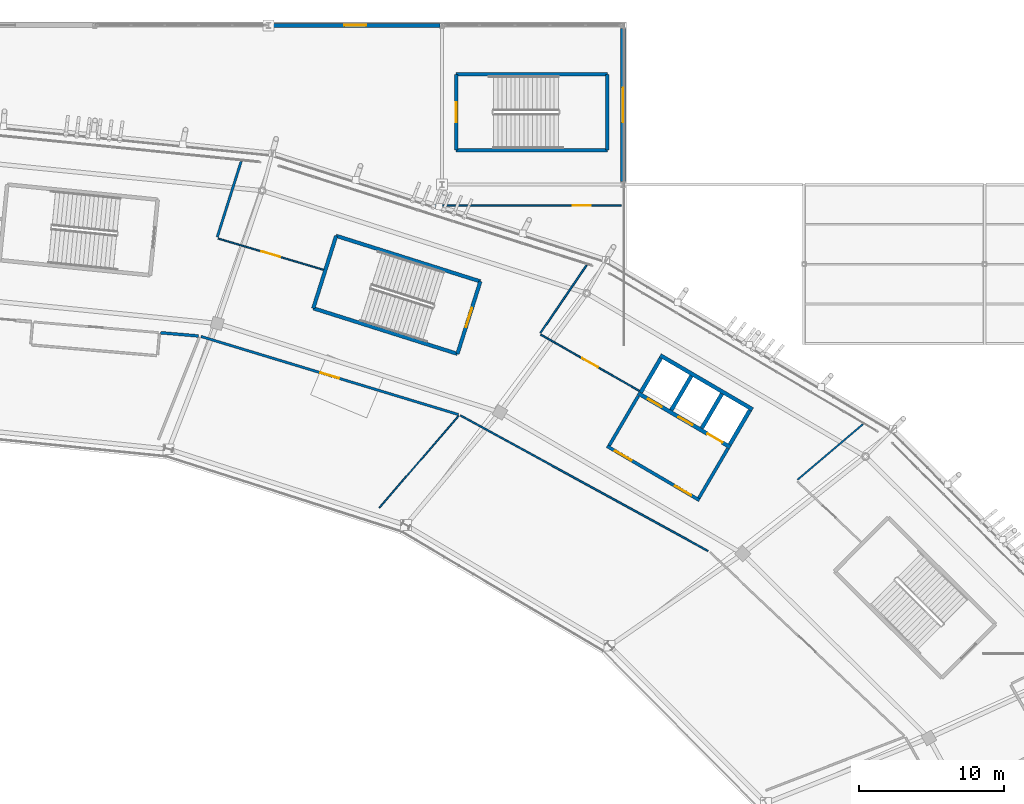
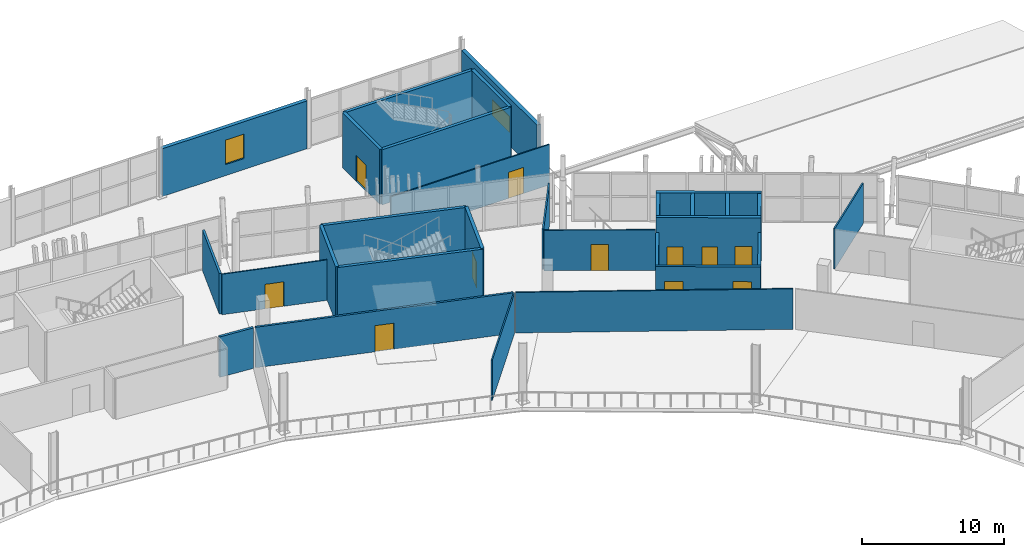
# One storey, part 135 of 179: 29 walls, 11 doors, 2 windows, 13 openings.
"""IFC4 building model written with IfcOpenShell, lengths in metres."""

from ifc_helpers import new_model, si_unit, direction, frame, frame_2d, origin, place, context, subcontext, project, spatial, rectangle, extrude, material, layer, layer_set, type_object, element, fill, save


model = new_model("IFC4")

# Units and contexts
model_context = context("Model", 3, precision=1e-05, world=origin(), true_north=direction((0.0, 1.0)))
body_context = subcontext(model_context, "Body", "Model", "MODEL_VIEW")
ifc_project = project(units=[si_unit("LENGTHUNIT", "METRE"), si_unit("AREAUNIT", "SQUARE_METRE"), si_unit("VOLUMEUNIT", "CUBIC_METRE"), si_unit("PLANEANGLEUNIT", "RADIAN"), si_unit("MASSUNIT", "GRAM", prefix="KILO")], contexts=[model_context])

# Site, building, storey
site_placement = place(None, origin())
site = spatial("IfcSite", under=ifc_project, at=site_placement, CompositionType="ELEMENT")
building_placement = place(site_placement, origin())
building = spatial("IfcBuilding", under=site, at=building_placement, Name="Zlatoyarsky Gate Stadium", CompositionType="ELEMENT")
storey_placement = place(building_placement, frame((0.0, 0.0, 10.60009765625)))
storey = spatial("IfcBuildingStorey", under=building, at=storey_placement, Name="L02", CompositionType="ELEMENT", Elevation=10.60009765625)

# Wall, opening, door
ifc_material_1 = material(Name="Double-stud acoustic gypsum partition", Category="gypsum")
ifc_layer_1 = layer(ifc_material_1, 0.169921875)
ifc_layer_set_1 = layer_set([ifc_layer_1], Name="Double-stud acoustic gypsum partition")
wall_type_1 = type_object("IfcWallType", Name="ACOUSTIC BROADCAST STUDIO WALL 170", PredefinedType="PARTITIONING", material=ifc_layer_set_1)
wall_1_placement = place(storey_placement, frame((148.62451171875, 133.1083984375, 0.0), z_axis=(0.0, 0.0, 1.0), x_axis=(-0.956943604741, 0.290273900558, 0.0)))
wall_1 = element("IfcWall", 1, at=wall_1_placement, inside=storey, type_object=wall_type_1, Name="L02 interior partition PRT-L02-ICC-04", PredefinedType="PARTITIONING", context=body_context, shape_type="SweptSolid", body=[
    extrude(rectangle(XDim=18.585205078125, YDim=0.169921875, at=frame_2d((9.29248046875, 0.0))), origin(), (0.0, 0.0, 1.0), 3.469970703125),
])
opening_1_placement = place(wall_1_placement, frame((8.62255859375, 0.0, 0.0)))
opening_1 = element("IfcOpeningElement", 2, at=opening_1_placement, cuts=wall_1, Name="Opening D-L02-290", PredefinedType="OPENING", context=body_context, shape_type="SweptSolid", body=[
    extrude(rectangle(XDim=1.340087890625, YDim=2.239990234375, at=frame_2d((0.669921875, 1.1201171875))), frame((0.0, 0.094970703125, 0.0), z_axis=(0.0, -1.0, 0.0), x_axis=(1.0, 0.0, 0.0)), (0.0, 0.0, 1.0), 0.18994140625),
])
ifc_material_2 = material(Name="Powder-coated steel fire door", Category="steel")
door_type_1 = type_object("IfcDoorType", Name="ACOUSTIC INTERIOR DOOR 1340X2240", OperationType="NOTDEFINED", PredefinedType="DOOR", material=ifc_material_2)
door_1_placement = place(opening_1_placement, origin())
door_1 = element("IfcDoor", 3, at=door_1_placement, inside=storey, type_object=door_type_1, Name="L02 room door D-L02-290", OperationType="SINGLE_SWING_RIGHT", OverallHeight=2.239990234375, OverallWidth=1.340087890625, PredefinedType="DOOR", context=body_context, shape_type="SweptSolid", body=[
    extrude(rectangle(XDim=1.340087890625, YDim=2.239990234375, at=frame_2d((0.669921875, 1.1201171875))), frame((0.0, 0.02490234375, 0.0), z_axis=(0.0, -1.0, 0.0), x_axis=(1.0, 0.0, 0.0)), (0.0, 0.0, 1.0), 0.050048828125),
])
fill(opening_1, door_1)

# Walls
wall_2_placement = place(storey_placement, frame((131.965087890625, 145.37939453125, 0.0), z_axis=(0.0, 0.0, 1.0), x_axis=(0.301272095981, 0.953538213279, 0.0)))
element("IfcWall", 4, at=wall_2_placement, inside=storey, type_object=wall_type_1, Name="L02 interior partition PRT-L02-ORD-04R", PredefinedType="PARTITIONING", context=body_context, shape_type="SweptSolid", body=[
    extrude(rectangle(XDim=5.479736328125, YDim=0.169921875, at=frame_2d((2.73974609375, 0.0))), origin(), (0.0, 0.0, 1.0), 3.469970703125),
])
ifc_material_3 = material(Name="Anodised aluminium acoustic operable wall", Category="aluminium")
ifc_layer_2 = layer(ifc_material_3, 0.114990234375)
ifc_layer_set_2 = layer_set([ifc_layer_2], Name="Anodised aluminium acoustic operable wall")
wall_type_2 = type_object("IfcWallType", Name="ACOUSTIC OPERABLE SUITE WALL 115", PredefinedType="MOVABLE", material=ifc_layer_set_2)
wall_3_placement = place(storey_placement, frame((165.883056640625, 123.675537109375, 0.0), z_axis=(0.0, 0.0, 1.0), x_axis=(-0.877066503075, 0.480368971921, 0.0)))
element("IfcWall", 5, at=wall_3_placement, inside=storey, type_object=wall_type_2, Name="L02 interior partition PRT-L02-ICC-03M", PredefinedType="MOVABLE", context=body_context, shape_type="SweptSolid", body=[
    extrude(rectangle(XDim=19.5, YDim=0.114990234375, at=frame_2d((9.75, 0.0))), origin(), (0.0, 0.0, 1.0), 3.469970703125),
])
wall_4_placement = place(storey_placement, frame((154.294189453125, 138.74169921875, 0.0), z_axis=(0.0, 0.0, 1.0), x_axis=(0.562766581292, 0.826615856962, 0.0)))
element("IfcWall", 6, at=wall_4_placement, inside=storey, type_object=wall_type_2, Name="L02 interior partition PRT-L02-ORD-03R", PredefinedType="MOVABLE", context=body_context, shape_type="SweptSolid", body=[
    extrude(rectangle(XDim=5.674072265625, YDim=0.114990234375, at=frame_2d((2.8369140625, 0.0))), origin(), (0.0, 0.0, 1.0), 3.469970703125),
])
ifc_material_4 = material(Name="Gypsum-clad mineral wool fire partition", Category="gypsum")
ifc_layer_3 = layer(ifc_material_4, 0.199951171875)
ifc_layer_set_3 = layer_set([ifc_layer_3], Name="Gypsum-clad mineral wool fire partition")
wall_type_3 = type_object("IfcWallType", Name="COMPARTMENT FIRE PARTITION WALL 200", PredefinedType="PARTITIONING", material=ifc_layer_set_3)
wall_5_placement = place(storey_placement, frame((130.673583984375, 138.53515625, 0.0), z_axis=(0.0, 0.0, 1.0), x_axis=(-0.996378623678, 0.085027279606, 0.0)))
element("IfcWall", 7, at=wall_5_placement, inside=storey, type_object=wall_type_3, Name="L02 interior partition PRT-L02-WCL-05", PredefinedType="PARTITIONING", context=body_context, shape_type="SweptSolid", body=[
    extrude(rectangle(XDim=2.630126953125, YDim=0.199951171875, at=frame_2d((1.31494140625, 0.0))), origin(), (0.0, 0.0, 1.0), 3.469970703125),
])
ifc_material_5 = material(Name="Concrete C40/50", Category="concrete")
ifc_layer_4 = layer(ifc_material_5, 0.27001953125)
ifc_layer_set_4 = layer_set([ifc_layer_4], Name="Concrete C40/50")
wall_type_4 = type_object("IfcWallType", Name="CONCRETE LIFT SHAFT SHEAR WALL 270", PredefinedType="SHEAR", material=ifc_layer_set_4)
wall_6_placement = place(storey_placement, frame((168.962646484375, 133.458984375, 0.0), z_axis=(0.0, 0.0, 1.0), x_axis=(-0.862865684113, 0.505433290534, 0.0)))
element("IfcWall", 8, at=wall_6_placement, inside=storey, type_object=wall_type_4, Name="C1 L02 lift shaft rear wall", PredefinedType="SHEAR", context=body_context, shape_type="SweptSolid", body=[
    extrude(rectangle(XDim=7.400146484375, YDim=0.27001953125, at=frame_2d((3.7001953125, 0.0))), origin(), (0.0, 0.0, 1.0), 4.719970703125),
])
for number, where, z_axis, x_axis, name in (
    (9, (168.772705078125, 133.402099609375, 0.0), (0.0, 0.0, 1.0), (-0.505465660416, -0.862846722275, 0.0), "C1 L02 lift shaft left wall"),
    (10, (162.62060546875, 137.006103515625, 0.0), (0.0, 0.0, 1.0), (-0.505465660416, -0.862846722275, 0.0), "C1 L02 lift shaft right wall"),
):
    element("IfcWall", number, at=place(storey_placement, frame(where, z_axis=z_axis, x_axis=x_axis)), inside=storey, type_object=wall_type_4, Name=name, PredefinedType="SHEAR", context=body_context, shape_type="SweptSolid", body=[
        extrude(rectangle(XDim=2.739990234375, YDim=0.27001953125, at=frame_2d((1.3701171875, 0.0))), origin(), (0.0, 0.0, 1.0), 4.719970703125),
    ])
wall_7_placement = place(storey_placement, frame((166.840087890625, 134.5341796875, 0.0), z_axis=(0.0, 0.0, 1.0), x_axis=(-0.505504523015, -0.862823954936, 0.0)))
element("IfcWall", 11, at=wall_7_placement, inside=storey, type_object=wall_type_4, Name="C1 L02 lift shaft divider 1", PredefinedType="SHEAR", context=body_context, shape_type="SweptSolid", body=[
    extrude(rectangle(XDim=2.73974609375, YDim=0.27001953125, at=frame_2d((1.369873046875, 0.0))), origin(), (0.0, 0.0, 1.0), 4.719970703125),
])
wall_8_placement = place(storey_placement, frame((164.72607421875, 135.772705078125, 0.0), z_axis=(0.0, 0.0, 1.0), x_axis=(-0.505465660416, -0.862846722275, 0.0)))
element("IfcWall", 12, at=wall_8_placement, inside=storey, type_object=wall_type_4, Name="C1 L02 lift shaft divider 2", PredefinedType="SHEAR", context=body_context, shape_type="SweptSolid", body=[
    extrude(rectangle(XDim=2.739990234375, YDim=0.27001953125, at=frame_2d((1.3701171875, 0.0))), origin(), (0.0, 0.0, 1.0), 4.719970703125),
])

# Wall, openings, doors
wall_9_placement = place(storey_placement, frame((167.430908203125, 130.844482421875, 0.0), z_axis=(0.0, 0.0, 1.0), x_axis=(-0.862842866418, 0.505472242434, 0.0)))
wall_9 = element("IfcWall", 13, at=wall_9_placement, inside=storey, type_object=wall_type_4, Name="C1 L02 lift landing front wall", PredefinedType="SHEAR", context=body_context, shape_type="SweptSolid", body=[
    extrude(rectangle(XDim=7.39990234375, YDim=0.27001953125, at=frame_2d((3.699951171875, 0.0))), origin(), (0.0, 0.0, 1.0), 4.719970703125),
])
opening_2_placement = place(wall_9_placement, frame((0.64990234375, 0.0, 0.0)))
opening_2 = element("IfcOpeningElement", 14, at=opening_2_placement, cuts=wall_9, Name="Opening LD-FL-01-L02", PredefinedType="OPENING", context=body_context, shape_type="SweptSolid", body=[
    extrude(rectangle(XDim=1.199951171875, YDim=2.25, at=frame_2d((0.60009765625, 1.125))), frame((0.0, 0.14501953125, 0.0), z_axis=(0.0, -1.0, 0.0), x_axis=(1.0, 0.0, 0.0)), (0.0, 0.0, 1.0), 0.2900390625),
])
opening_3_placement = place(wall_9_placement, frame((3.050048828125, 0.0, 0.0)))
opening_3 = element("IfcOpeningElement", 15, at=opening_3_placement, cuts=wall_9, Name="Opening LD-LF-01-L02", PredefinedType="OPENING", context=body_context, shape_type="SweptSolid", body=[
    extrude(rectangle(XDim=1.10009765625, YDim=2.199951171875, at=frame_2d((0.550048828125, 1.10009765625))), frame((0.0, 0.14501953125, 0.0), z_axis=(0.0, -1.0, 0.0), x_axis=(1.0, 0.0, 0.0)), (0.0, 0.0, 1.0), 0.2900390625),
])
opening_4_placement = place(wall_9_placement, frame((5.5, 0.0, 0.0)))
opening_4 = element("IfcOpeningElement", 16, at=opening_4_placement, cuts=wall_9, Name="Opening LD-LF-02-L02", PredefinedType="OPENING", context=body_context, shape_type="SweptSolid", body=[
    extrude(rectangle(XDim=1.10009765625, YDim=2.199951171875, at=frame_2d((0.550048828125, 1.10009765625))), frame((0.0, 0.14501953125, 0.0), z_axis=(0.0, -1.0, 0.0), x_axis=(1.0, 0.0, 0.0)), (0.0, 0.0, 1.0), 0.2900390625),
])
door_type_2 = type_object("IfcDoorType", Name="STAINLESS LIFT LANDING SLIDING DOOR 1100X2200", OperationType="DOUBLE_DOOR_SLIDING", PredefinedType="DOOR", material=ifc_material_2)
door_2_placement = place(opening_3_placement, origin())
door_2 = element("IfcDoor", 17, at=door_2_placement, inside=storey, type_object=door_type_2, Name="Lift LF-01 L02 sliding landing door", OperationType="DOUBLE_DOOR_SLIDING", OverallHeight=2.199951171875, OverallWidth=1.10009765625, PredefinedType="DOOR", context=body_context, shape_type="SweptSolid", body=[
    extrude(rectangle(XDim=1.10009765625, YDim=2.199951171875, at=frame_2d((0.550048828125, 1.10009765625))), frame((0.0, 0.02490234375, 0.0), z_axis=(0.0, -1.0, 0.0), x_axis=(1.0, 0.0, 0.0)), (0.0, 0.0, 1.0), 0.050048828125),
])
fill(opening_3, door_2)
door_3_placement = place(opening_4_placement, origin())
door_3 = element("IfcDoor", 18, at=door_3_placement, inside=storey, type_object=door_type_2, Name="Lift LF-02 L02 sliding landing door", OperationType="DOUBLE_DOOR_SLIDING", OverallHeight=2.199951171875, OverallWidth=1.10009765625, PredefinedType="DOOR", context=body_context, shape_type="SweptSolid", body=[
    extrude(rectangle(XDim=1.10009765625, YDim=2.199951171875, at=frame_2d((0.550048828125, 1.10009765625))), frame((0.0, 0.02490234375, 0.0), z_axis=(0.0, -1.0, 0.0), x_axis=(1.0, 0.0, 0.0)), (0.0, 0.0, 1.0), 0.050048828125),
])
fill(opening_4, door_3)
door_type_3 = type_object("IfcDoorType", Name="STAINLESS LIFT LANDING SLIDING DOOR 1200X2250", OperationType="DOUBLE_DOOR_SLIDING", PredefinedType="DOOR", material=ifc_material_2)
door_4_placement = place(opening_2_placement, origin())
door_4 = element("IfcDoor", 19, at=door_4_placement, inside=storey, type_object=door_type_3, Name="Lift FL-01 L02 sliding landing door", OperationType="DOUBLE_DOOR_SLIDING", OverallHeight=2.25, OverallWidth=1.199951171875, PredefinedType="DOOR", context=body_context, shape_type="SweptSolid", body=[
    extrude(rectangle(XDim=1.199951171875, YDim=2.25, at=frame_2d((0.60009765625, 1.125))), frame((0.0, 0.02490234375, 0.0), z_axis=(0.0, -1.0, 0.0), x_axis=(1.0, 0.0, 0.0)), (0.0, 0.0, 1.0), 0.050048828125),
])
fill(opening_2, door_4)

# Wall, opening, door
ifc_layer_5 = layer(ifc_material_5, 0.25)
ifc_layer_set_5 = layer_set([ifc_layer_5], Name="Concrete C40/50")
wall_type_5 = type_object("IfcWallType", Name="CONCRETE STAIR CORE SHEAR WALL 250", PredefinedType="SHEAR", material=ifc_layer_set_5)
wall_10_placement = place(storey_placement, frame((148.563232421875, 137.30126953125, 0.0), z_axis=(0.0, 0.0, 1.0), x_axis=(0.30152749866, 0.953457480726, 0.0)))
wall_10 = element("IfcWall", 20, at=wall_10_placement, inside=storey, type_object=wall_type_5, Name="ST-03 L02 stair core entrance shear wall", PredefinedType="SHEAR", context=body_context, shape_type="SweptSolid", body=[
    extrude(rectangle(XDim=5.25, YDim=0.25, at=frame_2d((2.625, 0.0))), origin(), (0.0, 0.0, 1.0), 4.719970703125),
])
opening_5_placement = place(wall_10_placement, frame((1.925048828125, 0.0, 0.0)))
opening_5 = element("IfcOpeningElement", 21, at=opening_5_placement, cuts=wall_10, Name="Opening SD-ST-03-L02", PredefinedType="OPENING", context=body_context, shape_type="SweptSolid", body=[
    extrude(rectangle(XDim=1.39990234375, YDim=2.199951171875, at=frame_2d((0.699951171875, 1.10009765625))), frame((0.0, 0.135009765625, 0.0), z_axis=(0.0, -1.0, 0.0), x_axis=(1.0, 0.0, 0.0)), (0.0, 0.0, 1.0), 0.27001953125),
])
door_type_4 = type_object("IfcDoorType", Name="STAIR CORE FIRE EXIT DOOR 1400X2200", OperationType="NOTDEFINED", PredefinedType="DOOR", material=ifc_material_2)
door_5_placement = place(opening_5_placement, frame((1.39990234375, 0.0, 0.0), z_axis=(0.0, 0.0, 1.0), x_axis=(-1.0, 0.0, 0.0)))
door_5 = element("IfcDoor", 22, at=door_5_placement, inside=storey, type_object=door_type_4, Name="ST-03 L02 stair fire door", OperationType="SINGLE_SWING_LEFT", OverallHeight=2.199951171875, OverallWidth=1.39990234375, PredefinedType="DOOR", context=body_context, shape_type="SweptSolid", body=[
    extrude(rectangle(XDim=1.39990234375, YDim=2.199951171875, at=frame_2d((0.699951171875, 1.10009765625))), frame((0.0, 0.02490234375, 0.0), z_axis=(0.0, -1.0, 0.0), x_axis=(1.0, 0.0, 0.0)), (0.0, 0.0, 1.0), 0.050048828125),
])
fill(opening_5, door_5)

# Walls
wall_11_placement = place(storey_placement, frame((150.146240234375, 142.306884765625, 0.0), z_axis=(0.0, 0.0, 1.0), x_axis=(-0.953461834254, 0.301513732061, 0.0)))
element("IfcWall", 23, at=wall_11_placement, inside=storey, type_object=wall_type_5, Name="ST-03 L02 stair core left shear wall", PredefinedType="SHEAR", context=body_context, shape_type="SweptSolid", body=[
    extrude(rectangle(XDim=10.4501953125, YDim=0.25, at=frame_2d((5.22509765625, 0.0))), origin(), (0.0, 0.0, 1.0), 4.719970703125),
])
wall_12_placement = place(storey_placement, frame((140.182373046875, 145.457763671875, 0.0), z_axis=(0.0, 0.0, 1.0), x_axis=(-0.301485222482, -0.953470849384, 0.0)))
element("IfcWall", 24, at=wall_12_placement, inside=storey, type_object=wall_type_5, Name="ST-03 L02 stair core far shear wall", PredefinedType="SHEAR", context=body_context, shape_type="SweptSolid", body=[
    extrude(rectangle(XDim=5.25, YDim=0.25, at=frame_2d((2.625, 0.0))), origin(), (0.0, 0.0, 1.0), 4.719970703125),
])
wall_13_placement = place(storey_placement, frame((138.599609375, 140.4521484375, 0.0), z_axis=(0.0, 0.0, 1.0), x_axis=(0.953459710305, -0.301520448438, 0.0)))
element("IfcWall", 25, at=wall_13_placement, inside=storey, type_object=wall_type_5, Name="ST-03 L02 stair core right shear wall", PredefinedType="SHEAR", context=body_context, shape_type="SweptSolid", body=[
    extrude(rectangle(XDim=10.449951171875, YDim=0.25, at=frame_2d((5.22509765625, 0.0))), origin(), (0.0, 0.0, 1.0), 4.719970703125),
])

# Wall, opening, door
wall_14_placement = place(storey_placement, frame((148.47509765625, 156.625, 0.0), z_axis=(0.0, 0.0, 1.0), x_axis=(0.0, -1.0, 0.0)))
wall_14 = element("IfcWall", 26, at=wall_14_placement, inside=storey, type_object=wall_type_5, Name="ST-32 L02 stair core entrance shear wall", PredefinedType="SHEAR", context=body_context, shape_type="SweptSolid", body=[
    extrude(rectangle(XDim=5.25, YDim=0.25, at=frame_2d((2.625, 0.0))), origin(), (0.0, 0.0, 1.0), 4.719970703125),
])
opening_6_placement = place(wall_14_placement, frame((1.925048828125, 0.0, 0.0)))
opening_6 = element("IfcOpeningElement", 27, at=opening_6_placement, cuts=wall_14, Name="Opening SD-ST-32-L02", PredefinedType="OPENING", context=body_context, shape_type="SweptSolid", body=[
    extrude(rectangle(XDim=1.39990234375, YDim=2.199951171875, at=frame_2d((0.699951171875, 1.10009765625))), frame((0.0, 0.135009765625, 0.0), z_axis=(0.0, -1.0, 0.0), x_axis=(1.0, 0.0, 0.0)), (0.0, 0.0, 1.0), 0.27001953125),
])
door_6_placement = place(opening_6_placement, frame((1.39990234375, 0.0, 0.0), z_axis=(0.0, 0.0, 1.0), x_axis=(-1.0, 0.0, 0.0)))
door_6 = element("IfcDoor", 28, at=door_6_placement, inside=storey, type_object=door_type_4, Name="ST-32 L02 stair fire door", OperationType="SINGLE_SWING_LEFT", OverallHeight=2.199951171875, OverallWidth=1.39990234375, PredefinedType="DOOR", context=body_context, shape_type="SweptSolid", body=[
    extrude(rectangle(XDim=1.39990234375, YDim=2.199951171875, at=frame_2d((0.699951171875, 1.10009765625))), frame((0.0, 0.02490234375, 0.0), z_axis=(0.0, -1.0, 0.0), x_axis=(1.0, 0.0, 0.0)), (0.0, 0.0, 1.0), 0.050048828125),
])
fill(opening_6, door_6)

# Walls
wall_15_placement = place(storey_placement, frame((148.47509765625, 151.375, 0.0), z_axis=(0.0, 0.0, 1.0), x_axis=(1.0, 0.0, 0.0)))
element("IfcWall", 29, at=wall_15_placement, inside=storey, type_object=wall_type_5, Name="ST-32 L02 stair core left shear wall", PredefinedType="SHEAR", context=body_context, shape_type="SweptSolid", body=[
    extrude(rectangle(XDim=10.449951171875, YDim=0.25, at=frame_2d((5.22509765625, 0.0))), origin(), (0.0, 0.0, 1.0), 4.719970703125),
])
wall_16_placement = place(storey_placement, frame((158.925048828125, 151.375, 0.0), z_axis=(0.0, 0.0, 1.0), x_axis=(0.0, 1.0, 0.0)))
element("IfcWall", 30, at=wall_16_placement, inside=storey, type_object=wall_type_5, Name="ST-32 L02 stair core far shear wall", PredefinedType="SHEAR", context=body_context, shape_type="SweptSolid", body=[
    extrude(rectangle(XDim=5.25, YDim=0.25, at=frame_2d((2.625, 0.0))), origin(), (0.0, 0.0, 1.0), 4.719970703125),
])
wall_17_placement = place(storey_placement, frame((158.925048828125, 156.625, 0.0), z_axis=(0.0, 0.0, 1.0), x_axis=(-1.0, 0.0, 0.0)))
element("IfcWall", 31, at=wall_17_placement, inside=storey, type_object=wall_type_5, Name="ST-32 L02 stair core right shear wall", PredefinedType="SHEAR", context=body_context, shape_type="SweptSolid", body=[
    extrude(rectangle(XDim=10.449951171875, YDim=0.25, at=frame_2d((5.22509765625, 0.0))), origin(), (0.0, 0.0, 1.0), 4.719970703125),
])
ifc_material_6 = material(Name="Autoclaved aerated concrete masonry EI 120", Category="masonry")
ifc_layer_6 = layer(ifc_material_6, 0.219970703125)
ifc_layer_set_6 = layer_set([ifc_layer_6], Name="Autoclaved aerated concrete masonry EI 120")
wall_type_6 = type_object("IfcWallType", Name="FIREFIGHTING LOBBY RATED WALL 220", PredefinedType="PARTITIONING", material=ifc_layer_set_6)
for number, where, z_axis, x_axis, name in (
    (32, (167.2578125, 130.766357421875, 0.0), (0.0, 0.0, 1.0), (-0.505464443681, -0.862847435051, 0.0), "C1 L02 firefighting lobby left wall"),
    (33, (161.0625, 134.3955078125, 0.0), (0.0, 0.0, 1.0), (-0.505464443681, -0.862847435051, 0.0), "C1 L02 firefighting lobby right wall"),
):
    element("IfcWall", number, at=place(storey_placement, frame(where, z_axis=z_axis, x_axis=x_axis)), inside=storey, type_object=wall_type_6, Name=name, PredefinedType="PARTITIONING", context=body_context, shape_type="SweptSolid", body=[
        extrude(rectangle(XDim=3.97998046875, YDim=0.219970703125, at=frame_2d((1.989990234375, 0.0))), origin(), (0.0, 0.0, 1.0), 3.469970703125),
    ])

# Wall, openings, doors
wall_18_placement = place(storey_placement, frame((165.285400390625, 127.181640625, 0.0), z_axis=(0.0, 0.0, 1.0), x_axis=(-0.862851295616, 0.505457853488, 0.0)))
wall_18 = element("IfcWall", 34, at=wall_18_placement, inside=storey, type_object=wall_type_6, Name="C1 L02 firefighting lobby front wall", PredefinedType="PARTITIONING", context=body_context, shape_type="SweptSolid", body=[
    extrude(rectangle(XDim=7.400146484375, YDim=0.219970703125, at=frame_2d((3.7001953125, 0.0))), origin(), (0.0, 0.0, 1.0), 3.469970703125),
])
opening_7_placement = place(wall_18_placement, frame((0.64990234375, 0.0, 0.0)))
opening_7 = element("IfcOpeningElement", 35, at=opening_7_placement, cuts=wall_18, Name="Opening FD-C1-L02-A", PredefinedType="OPENING", context=body_context, shape_type="SweptSolid", body=[
    extrude(rectangle(XDim=1.300048828125, YDim=2.199951171875, at=frame_2d((0.64990234375, 1.10009765625))), frame((0.0, 0.119873046875, 0.0), z_axis=(0.0, -1.0, 0.0), x_axis=(1.0, 0.0, 0.0)), (0.0, 0.0, 1.0), 0.239990234375),
])
opening_8_placement = place(wall_18_placement, frame((5.449951171875, 0.0, 0.0)))
opening_8 = element("IfcOpeningElement", 36, at=opening_8_placement, cuts=wall_18, Name="Opening FD-C1-L02-B", PredefinedType="OPENING", context=body_context, shape_type="SweptSolid", body=[
    extrude(rectangle(XDim=1.300048828125, YDim=2.199951171875, at=frame_2d((0.64990234375, 1.10009765625))), frame((0.0, 0.119873046875, 0.0), z_axis=(0.0, -1.0, 0.0), x_axis=(1.0, 0.0, 0.0)), (0.0, 0.0, 1.0), 0.239990234375),
])
door_type_5 = type_object("IfcDoorType", Name="FIREFIGHTING LOBBY FIRE DOOR 1300X2200", OperationType="NOTDEFINED", PredefinedType="DOOR", material=ifc_material_2)
door_7_placement = place(opening_7_placement, origin())
door_7 = element("IfcDoor", 37, at=door_7_placement, inside=storey, type_object=door_type_5, Name="C1 L02 firefighting lobby fire door FD-C1-L02-A", OperationType="SINGLE_SWING_LEFT", OverallHeight=2.199951171875, OverallWidth=1.300048828125, PredefinedType="DOOR", context=body_context, shape_type="SweptSolid", body=[
    extrude(rectangle(XDim=1.300048828125, YDim=2.199951171875, at=frame_2d((0.64990234375, 1.10009765625))), frame((0.0, 0.02490234375, 0.0), z_axis=(0.0, -1.0, 0.0), x_axis=(1.0, 0.0, 0.0)), (0.0, 0.0, 1.0), 0.050048828125),
])
fill(opening_7, door_7)
door_8_placement = place(opening_8_placement, origin())
door_8 = element("IfcDoor", 38, at=door_8_placement, inside=storey, type_object=door_type_5, Name="C1 L02 firefighting lobby fire door FD-C1-L02-B", OperationType="SINGLE_SWING_RIGHT", OverallHeight=2.199951171875, OverallWidth=1.300048828125, PredefinedType="DOOR", context=body_context, shape_type="SweptSolid", body=[
    extrude(rectangle(XDim=1.300048828125, YDim=2.199951171875, at=frame_2d((0.64990234375, 1.10009765625))), frame((0.0, 0.02490234375, 0.0), z_axis=(0.0, -1.0, 0.0), x_axis=(1.0, 0.0, 0.0)), (0.0, 0.0, 1.0), 0.050048828125),
])
fill(opening_8, door_8)

# Wall
ifc_material_7 = material(Name="Timber-veneered acoustic operable partition", Category="wood")
ifc_layer_7 = layer(ifc_material_7, 0.094970703125)
ifc_layer_set_7 = layer_set([ifc_layer_7], Name="Timber-veneered acoustic operable partition")
wall_type_7 = type_object("IfcWallType", Name="FOLDING BANQUET SALON WALL 95", PredefinedType="MOVABLE", material=ifc_layer_set_7)
wall_19_placement = place(storey_placement, frame((143.164794921875, 126.66455078125, 0.0), z_axis=(0.0, 0.0, 1.0), x_axis=(0.653426768467, 0.756989734574, 0.0)))
element("IfcWall", 39, at=wall_19_placement, inside=storey, type_object=wall_type_7, Name="L02 interior partition PRT-L02-IRD-04", PredefinedType="MOVABLE", context=body_context, shape_type="SweptSolid", body=[
    extrude(rectangle(XDim=8.394775390625, YDim=0.094970703125, at=frame_2d((4.197265625, 0.0))), origin(), (0.0, 0.0, 1.0), 3.469970703125),
])

# Wall, opening, door
wall_20_placement = place(storey_placement, frame((139.3037109375, 143.1103515625, 0.0), z_axis=(0.0, 0.0, 1.0), x_axis=(-0.958592326315, 0.284781937506, 0.0)))
wall_20 = element("IfcWall", 40, at=wall_20_placement, inside=storey, type_object=wall_type_7, Name="L02 interior partition PRT-L02-OCC-04-1", PredefinedType="MOVABLE", context=body_context, shape_type="SweptSolid", body=[
    extrude(rectangle(XDim=7.597412109375, YDim=0.094970703125, at=frame_2d((3.798828125, 0.0))), origin(), (0.0, 0.0, 1.0), 3.469970703125),
])
opening_9_placement = place(wall_20_placement, frame((3.128662109375, 0.0, 0.0)))
opening_9 = element("IfcOpeningElement", 41, at=opening_9_placement, cuts=wall_20, Name="Opening D-L02-349", PredefinedType="OPENING", context=body_context, shape_type="SweptSolid", body=[
    extrude(rectangle(XDim=1.340087890625, YDim=2.10009765625, at=frame_2d((0.669921875, 1.050048828125))), frame((0.0, 0.057373046875, 0.0), z_axis=(0.0, -1.0, 0.0), x_axis=(1.0, 0.0, 0.0)), (0.0, 0.0, 1.0), 0.114990234375),
])
ifc_material_8 = material(Name="Solid-core oak veneer acoustic door", Category="wood")
door_type_6 = type_object("IfcDoorType", Name="ACOUSTIC INTERIOR DOOR 1340X2100", OperationType="NOTDEFINED", PredefinedType="DOOR", material=ifc_material_8)
door_9_placement = place(opening_9_placement, origin())
door_9 = element("IfcDoor", 42, at=door_9_placement, inside=storey, type_object=door_type_6, Name="L02 room door D-L02-349", OperationType="SINGLE_SWING_LEFT", OverallHeight=2.10009765625, OverallWidth=1.340087890625, PredefinedType="DOOR", context=body_context, shape_type="SweptSolid", body=[
    extrude(rectangle(XDim=1.340087890625, YDim=2.10009765625, at=frame_2d((0.669921875, 1.050048828125))), frame((0.0, 0.02490234375, 0.0), z_axis=(0.0, -1.0, 0.0), x_axis=(1.0, 0.0, 0.0)), (0.0, 0.0, 1.0), 0.050048828125),
])
fill(opening_9, door_9)

# Wall, opening, window
ifc_material_9 = material(Name="Limestone-faced insulated masonry wall", Category="masonry")
ifc_layer_8 = layer(ifc_material_9, 0.300048828125)
ifc_layer_set_8 = layer_set([ifc_layer_8], Name="Limestone-faced insulated masonry wall")
wall_type_8 = type_object("IfcWallType", Name="INSULATED PAVILION FACADE WALL 300", PredefinedType="STANDARD", material=ifc_layer_set_8)
wall_21_placement = place(storey_placement, frame((135.64697265625, 160.0, 0.0), z_axis=(0.0, 0.0, 1.0), x_axis=(1.0, 0.0, 0.0)))
wall_21 = element("IfcWall", 43, at=wall_21_placement, inside=storey, type_object=wall_type_8, Name="V2_NORTH L02 N exterior wall", PredefinedType="STANDARD", context=body_context, shape_type="SweptSolid", body=[
    extrude(rectangle(XDim=11.7060546875, YDim=0.300048828125, at=frame_2d((5.85302734375, 0.0))), origin(), (0.0, 0.0, 1.0), 4.099853515625),
])
opening_10_placement = place(wall_21_placement, frame((5.10302734375, 0.0, 0.949951171875)))
opening_10 = element("IfcOpeningElement", 44, at=opening_10_placement, cuts=wall_21, Name="Opening WN-08", PredefinedType="OPENING", context=body_context, shape_type="SweptSolid", body=[
    extrude(rectangle(XDim=1.5, YDim=2.10009765625, at=frame_2d((0.75, 1.050048828125))), frame((0.0, 0.159912109375, 0.0), z_axis=(0.0, -1.0, 0.0), x_axis=(1.0, 0.0, 0.0)), (0.0, 0.0, 1.0), 0.320068359375),
])
ifc_material_10 = material(Name="Triple-glazed thermally broken aluminium window", Category="aluminium")
window_type_1 = type_object("IfcWindowType", Name="TRIPLE GLAZED ALUMINIUM WINDOW 1500X2100", PartitioningType="SINGLE_PANEL", PredefinedType="WINDOW", material=ifc_material_10)
window_1_placement = place(opening_10_placement, origin())
window_1 = element("IfcWindow", 45, at=window_1_placement, inside=storey, type_object=window_type_1, Name="Exterior window WIN-L02-008", OverallHeight=2.10009765625, OverallWidth=1.5, PartitioningType="SINGLE_PANEL", PredefinedType="WINDOW", context=body_context, shape_type="SweptSolid", body=[
    extrude(rectangle(XDim=1.5, YDim=2.10009765625, at=frame_2d((0.75, 1.050048828125))), frame((0.0, 0.030029296875, 0.0), z_axis=(0.0, -1.0, 0.0), x_axis=(1.0, 0.0, 0.0)), (0.0, 0.0, 1.0), 0.06005859375),
])
fill(opening_10, window_1)

# Wall
ifc_material_11 = material(Name="Metal-stud gypsum partition", Category="gypsum")
ifc_layer_9 = layer(ifc_material_11, 0.110107421875)
ifc_layer_set_9 = layer_set([ifc_layer_9], Name="Metal-stud gypsum partition")
wall_type_9 = type_object("IfcWallType", Name="KIOSK SERVICE PARTITION 110", PredefinedType="PARTITIONING", material=ifc_layer_set_9)
wall_22_placement = place(storey_placement, frame((172.0625, 128.59765625, 0.0), z_axis=(0.0, 0.0, 1.0), x_axis=(0.762506674327, 0.646980348703, 0.0)))
element("IfcWall", 46, at=wall_22_placement, inside=storey, type_object=wall_type_9, Name="L02 interior partition PRT-L02-ORD-02R", PredefinedType="PARTITIONING", context=body_context, shape_type="SweptSolid", body=[
    extrude(rectangle(XDim=5.931884765625, YDim=0.110107421875, at=frame_2d((2.9658203125, 0.0))), origin(), (0.0, 0.0, 1.0), 3.469970703125),
])

# Wall, opening, door
ifc_layer_10 = layer(ifc_material_11, 0.10009765625)
ifc_layer_set_10 = layer_set([ifc_layer_10], Name="Metal-stud gypsum partition")
wall_type_10 = type_object("IfcWallType", Name="LIGHT STORAGE PARTITION 100", PredefinedType="PARTITIONING", material=ifc_layer_set_10)
wall_23_placement = place(storey_placement, frame((161.13232421875, 134.7421875, 0.0), z_axis=(0.0, 0.0, 1.0), x_axis=(-0.868551387385, 0.495599119725, 0.0)))
wall_23 = element("IfcWall", 47, at=wall_23_placement, inside=storey, type_object=wall_type_10, Name="L02 interior partition PRT-L02-OCC-03-1", PredefinedType="PARTITIONING", context=body_context, shape_type="SweptSolid", body=[
    extrude(rectangle(XDim=7.843017578125, YDim=0.10009765625, at=frame_2d((3.92138671875, 0.0))), origin(), (0.0, 0.0, 1.0), 3.469970703125),
])
opening_11_placement = place(wall_23_placement, frame((3.301513671875, 0.0, 0.0)))
opening_11 = element("IfcOpeningElement", 48, at=opening_11_placement, cuts=wall_23, Name="Opening D-L02-347", PredefinedType="OPENING", context=body_context, shape_type="SweptSolid", body=[
    extrude(rectangle(XDim=1.239990234375, YDim=2.239990234375, at=frame_2d((0.6201171875, 1.1201171875))), frame((0.0, 0.06005859375, 0.0), z_axis=(0.0, -1.0, 0.0), x_axis=(1.0, 0.0, 0.0)), (0.0, 0.0, 1.0), 0.1201171875),
])
door_type_7 = type_object("IfcDoorType", Name="ACOUSTIC INTERIOR DOOR 1240X2240", OperationType="NOTDEFINED", PredefinedType="DOOR", material=ifc_material_8)
door_10_placement = place(opening_11_placement, origin())
door_10 = element("IfcDoor", 49, at=door_10_placement, inside=storey, type_object=door_type_7, Name="L02 room door D-L02-347", OperationType="SINGLE_SWING_RIGHT", OverallHeight=2.239990234375, OverallWidth=1.239990234375, PredefinedType="DOOR", context=body_context, shape_type="SweptSolid", body=[
    extrude(rectangle(XDim=1.239990234375, YDim=2.239990234375, at=frame_2d((0.6201171875, 1.1201171875))), frame((0.0, 0.02490234375, 0.0), z_axis=(0.0, -1.0, 0.0), x_axis=(1.0, 0.0, 0.0)), (0.0, 0.0, 1.0), 0.050048828125),
])
fill(opening_11, door_10)

wall_24_placement = place(storey_placement, frame((147.01806640625, 147.550048828125, 0.0), z_axis=(0.0, 0.0, 1.0), x_axis=(1.0, 0.0, 0.0)))
wall_24 = element("IfcWall", 50, at=wall_24_placement, inside=storey, type_object=wall_type_10, Name="L02 interior partition PRT-L02-V2NC-S2", PredefinedType="PARTITIONING", context=body_context, shape_type="SweptSolid", body=[
    extrude(rectangle(XDim=12.876953125, YDim=0.10009765625, at=frame_2d((6.4384765625, 0.0))), origin(), (0.0, 0.0, 1.0), 3.469970703125),
])
opening_12_placement = place(wall_24_placement, frame((9.52685546875, 0.0, 0.0)))
opening_12 = element("IfcOpeningElement", 51, at=opening_12_placement, cuts=wall_24, Name="Opening D-L02-387", PredefinedType="OPENING", context=body_context, shape_type="SweptSolid", body=[
    extrude(rectangle(XDim=1.239990234375, YDim=2.239990234375, at=frame_2d((0.6201171875, 1.1201171875))), frame((0.0, 0.06005859375, 0.0), z_axis=(0.0, -1.0, 0.0), x_axis=(1.0, 0.0, 0.0)), (0.0, 0.0, 1.0), 0.1201171875),
])
door_11_placement = place(opening_12_placement, origin())
door_11 = element("IfcDoor", 52, at=door_11_placement, inside=storey, type_object=door_type_7, Name="L02 room door D-L02-387", OperationType="SINGLE_SWING_LEFT", OverallHeight=2.239990234375, OverallWidth=1.239990234375, PredefinedType="DOOR", context=body_context, shape_type="SweptSolid", body=[
    extrude(rectangle(XDim=1.239990234375, YDim=2.239990234375, at=frame_2d((0.6201171875, 1.1201171875))), frame((0.0, 0.02490234375, 0.0), z_axis=(0.0, -1.0, 0.0), x_axis=(1.0, 0.0, 0.0)), (0.0, 0.0, 1.0), 0.050048828125),
])
fill(opening_12, door_11)

# Wall, opening, window
ifc_material_12 = material(Name="Precast concrete C40/50 architectural panel", Category="concrete")
ifc_layer_11 = layer(ifc_material_12, 0.320068359375)
ifc_layer_set_11 = layer_set([ifc_layer_11], Name="Precast concrete C40/50 architectural panel")
wall_type_11 = type_object("IfcWallType", Name="PRECAST TERRACOTTA FACADE WALL 320", PredefinedType="STANDARD", material=ifc_layer_set_11)
wall_25_placement = place(storey_placement, frame((160.0, 149.197021484375, 0.0), z_axis=(0.0, 0.0, 1.0), x_axis=(0.0, 1.0, 0.0)))
wall_25 = element("IfcWall", 53, at=wall_25_placement, inside=storey, type_object=wall_type_11, Name="V2_NORTH L02 E exterior wall", PredefinedType="STANDARD", context=body_context, shape_type="SweptSolid", body=[
    extrude(rectangle(XDim=10.60595703125, YDim=0.320068359375, at=frame_2d((5.302978515625, 0.0))), origin(), (0.0, 0.0, 1.0), 4.099853515625),
])
opening_13_placement = place(wall_25_placement, frame((4.10302734375, 0.0, 0.949951171875)))
opening_13 = element("IfcOpeningElement", 54, at=opening_13_placement, cuts=wall_25, Name="Opening WN-17", PredefinedType="OPENING", context=body_context, shape_type="SweptSolid", body=[
    extrude(rectangle(XDim=2.39990234375, YDim=1.35009765625, at=frame_2d((1.199951171875, 0.675048828125))), frame((0.0, 0.169921875, 0.0), z_axis=(0.0, -1.0, 0.0), x_axis=(1.0, 0.0, 0.0)), (0.0, 0.0, 1.0), 0.340087890625),
])
window_type_2 = type_object("IfcWindowType", Name="TRIPLE GLAZED ALUMINIUM WINDOW 2400X1350", PartitioningType="SINGLE_PANEL", PredefinedType="WINDOW", material=ifc_material_10)
window_2_placement = place(opening_13_placement, origin())
window_2 = element("IfcWindow", 55, at=window_2_placement, inside=storey, type_object=window_type_2, Name="Exterior window WIN-L02-017", OverallHeight=1.35009765625, OverallWidth=2.39990234375, PartitioningType="SINGLE_PANEL", PredefinedType="WINDOW", context=body_context, shape_type="SweptSolid", body=[
    extrude(rectangle(XDim=2.39990234375, YDim=1.35009765625, at=frame_2d((1.199951171875, 0.675048828125))), frame((0.0, 0.030029296875, 0.0), z_axis=(0.0, -1.0, 0.0), x_axis=(1.0, 0.0, 0.0)), (0.0, 0.0, 1.0), 0.06005859375),
])
fill(opening_13, window_2)

save(model, "model.ifc")
